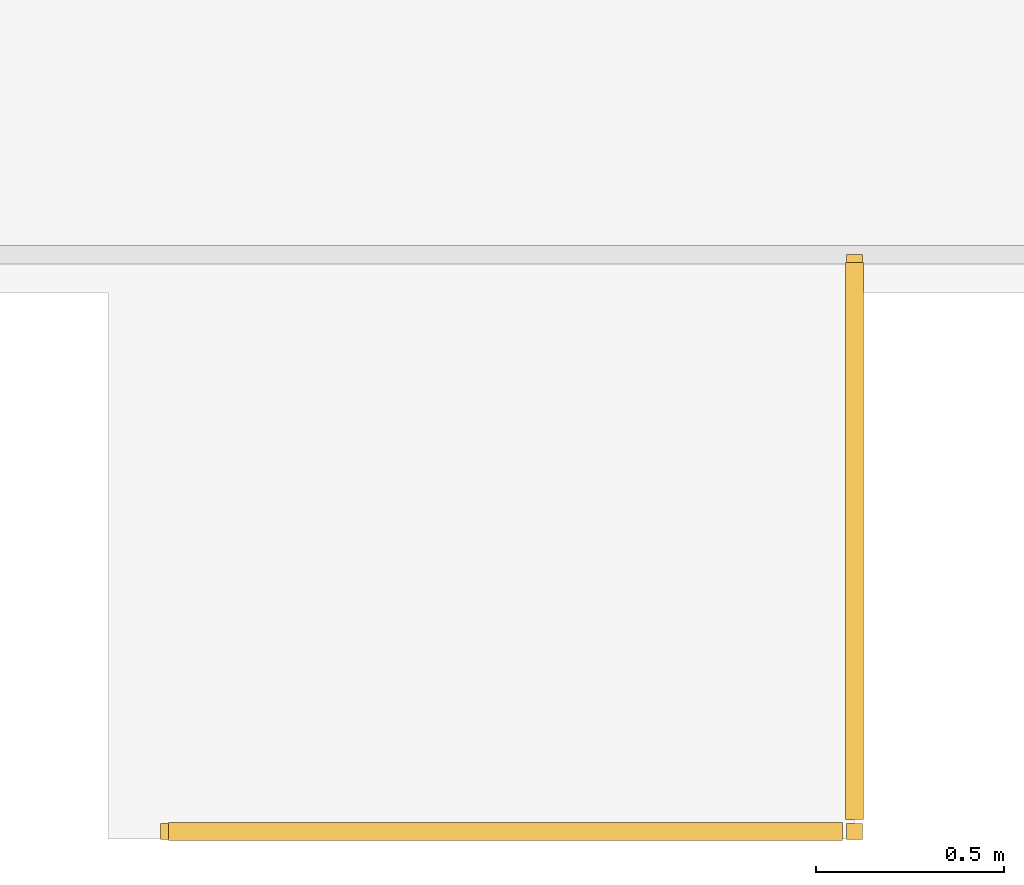
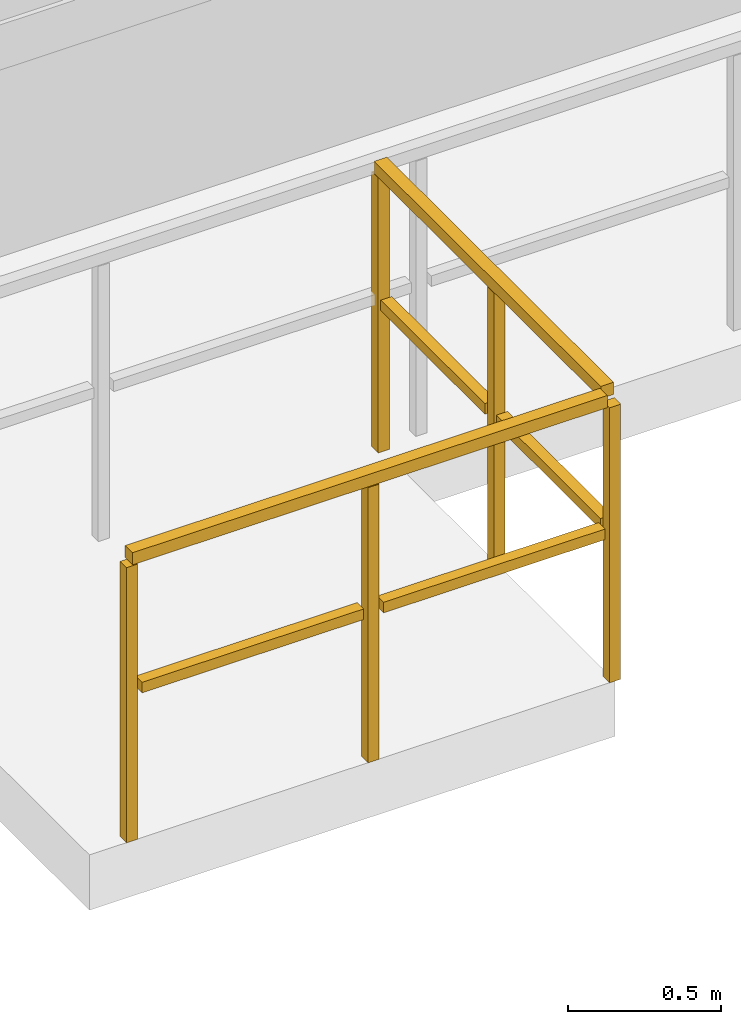
# One storey, part 23 of 25: 1 railing.
"""IFC4 building model written with IfcOpenShell, lengths in metres."""

from ifc_helpers import new_model, si_unit, direction, frame, origin, origin_2d, place, context, subcontext, project, spatial, rectangle, extrude, material, type_object, element, save


model = new_model("IFC4")

# Units and contexts
model_context = context("Model", 3, precision=1e-05, world=origin(), true_north=direction((0.0, 1.0)))
body_context = subcontext(model_context, "Body", "Model", "MODEL_VIEW")
ifc_project = project(units=[si_unit("LENGTHUNIT", "METRE"), si_unit("AREAUNIT", "SQUARE_METRE"), si_unit("VOLUMEUNIT", "CUBIC_METRE"), si_unit("PLANEANGLEUNIT", "RADIAN"), si_unit("MASSUNIT", "GRAM", prefix="KILO")], contexts=[model_context])

# Site, building, storey
site_placement = place(None, origin())
site = spatial("IfcSite", under=ifc_project, at=site_placement, CompositionType="ELEMENT")
building_placement = place(site_placement, origin())
building = spatial("IfcBuilding", under=site, at=building_placement, Name="Thornwick Lancets Civic Towers", CompositionType="ELEMENT")
storey_placement = place(building_placement, frame((0.0, 0.0, 9.60009765625)))
storey = spatial("IfcBuildingStorey", under=building, at=storey_placement, Name="L02", CompositionType="ELEMENT", Elevation=9.60009765625)

# Railing
ifc_material = material(Name="Terracotta-capped laminated glass balustrade S355", Category="masonry")
railing_type = type_object("IfcRailingType", Name="RAIL_TERR_GUARD", PredefinedType="GUARDRAIL", material=ifc_material)
railing_placement = place(storey_placement, frame((64.60009765625, 4.570068359375, 0.0)))
element("IfcRailing", 1, at=railing_placement, inside=storey, type_object=railing_type, Name="L02 Garden Stair Landing Guard", PredefinedType="GUARDRAIL", context=body_context, shape_type="SweptSolid", body=[
    extrude(rectangle(XDim=0.048095703125, YDim=0.048095703125, at=origin_2d()), frame((0.0, 0.0, 1.1259765625), z_axis=(1.0, 0.0, 0.0), x_axis=(0.0, 1.0, 0.0)), (0.0, 0.0, 1.0), 1.78857421875),
    extrude(rectangle(XDim=0.0419921875, YDim=0.0419921875, at=origin_2d()), frame((0.03759765625, 0.0, 0.597900390625), z_axis=(1.0, 0.0, 0.0), x_axis=(0.0, 1.0, 0.0)), (0.0, 0.0, 1.0), 0.8349609375),
    extrude(rectangle(XDim=0.0419921875, YDim=0.0419921875, at=origin_2d()), frame((0.947509765625, 0.0, 0.597900390625), z_axis=(1.0, 0.0, 0.0), x_axis=(0.0, 1.0, 0.0)), (0.0, 0.0, 1.0), 0.8349609375),
    extrude(rectangle(XDim=0.048095703125, YDim=0.048095703125, at=origin_2d()), frame((1.81982421875, 0.03125, 1.1259765625), z_axis=(0.0, 1.0, 0.0), x_axis=(-1.0, 0.0, 0.0)), (0.0, 0.0, 1.0), 1.478759765625),
    extrude(rectangle(XDim=0.0419921875, YDim=0.0419921875, at=origin_2d()), frame((1.81982421875, 0.03759765625, 0.597900390625), z_axis=(0.0, 1.0, 0.0), x_axis=(-1.0, 0.0, 0.0)), (0.0, 0.0, 1.0), 0.679931640625),
    extrude(rectangle(XDim=0.0419921875, YDim=0.0419921875, at=origin_2d()), frame((1.81982421875, 0.79248046875, 0.597900390625), z_axis=(0.0, 1.0, 0.0), x_axis=(-1.0, 0.0, 0.0)), (0.0, 0.0, 1.0), 0.679931640625),
    extrude(rectangle(XDim=0.0419921875, YDim=0.0419921875, at=origin_2d()), origin(), (0.0, 0.0, 1.0), 1.095703125),
    extrude(rectangle(XDim=0.0419921875, YDim=0.0419921875, at=origin_2d()), frame((0.909912109375, 0.0, 0.0)), (0.0, 0.0, 1.0), 1.095703125),
    extrude(rectangle(XDim=0.0419921875, YDim=0.0419921875, at=origin_2d()), frame((1.81982421875, 0.0, 0.0)), (0.0, 0.0, 1.0), 1.095703125),
    extrude(rectangle(XDim=0.0419921875, YDim=0.0419921875, at=origin_2d()), frame((1.81982421875, 0.7548828125, 0.0)), (0.0, 0.0, 1.0), 1.095703125),
    extrude(rectangle(XDim=0.0419921875, YDim=0.0419921875, at=origin_2d()), frame((1.81982421875, 1.510009765625, 0.0)), (0.0, 0.0, 1.0), 1.095703125),
])

save(model, "model.ifc")
